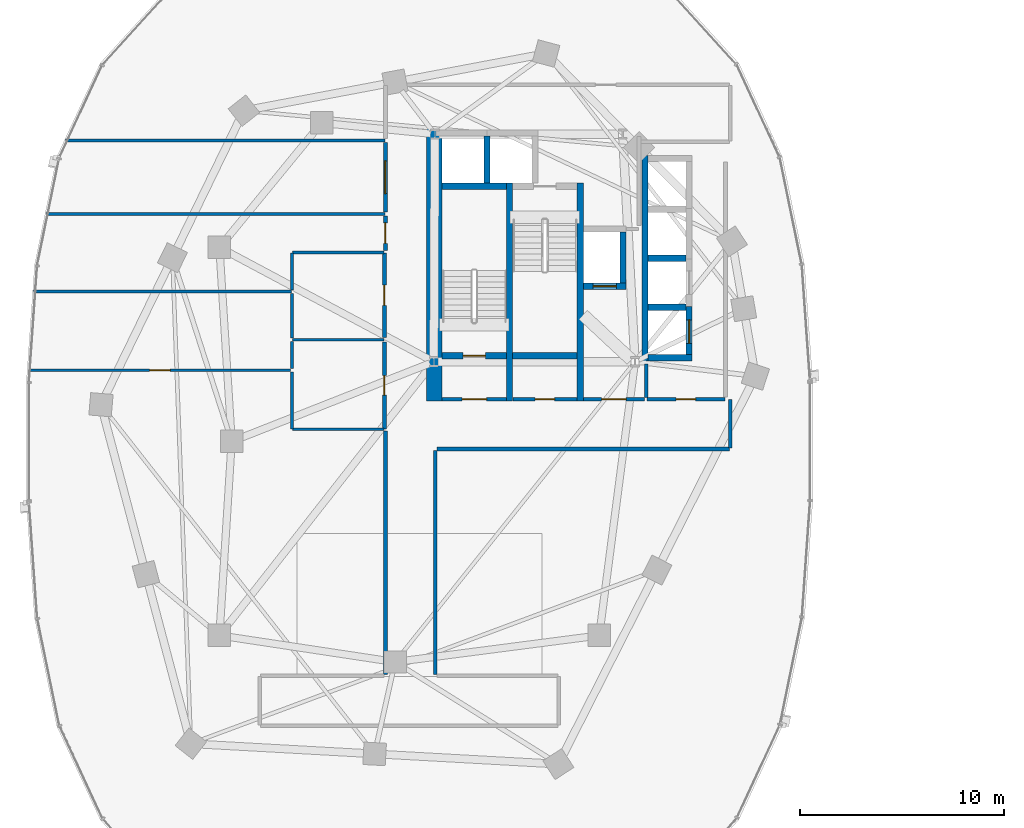
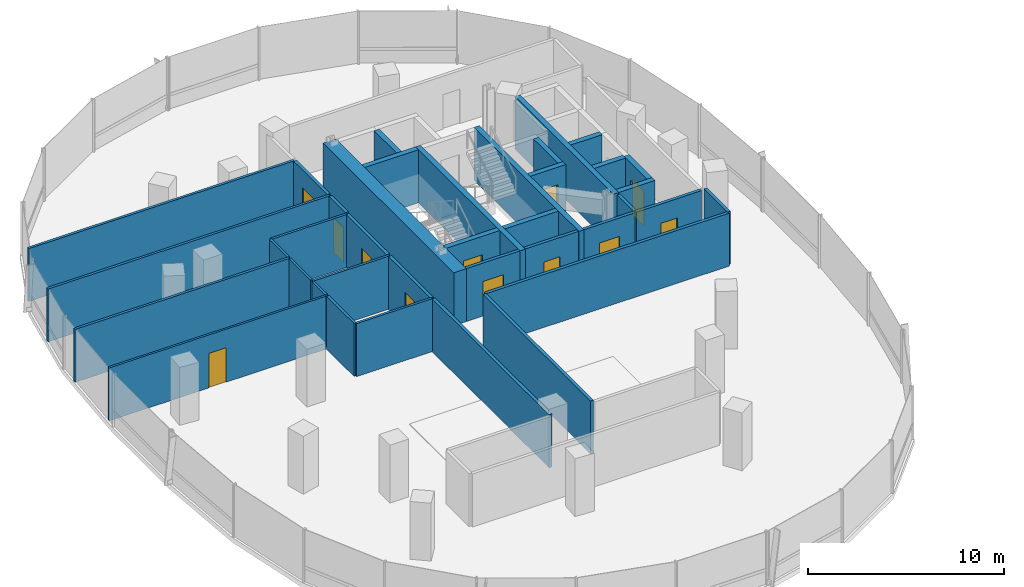
# One storey, part 11 of 21: 38 walls, 12 doors, 12 openings.
"""IFC4 building model written with IfcOpenShell, lengths in metres."""

from ifc_helpers import new_model, si_unit, direction, frame, frame_2d, origin, place, context, subcontext, project, spatial, rectangle, extrude, material, layer, layer_set, type_object, element, fill, save


model = new_model("IFC4")

# Units and contexts
model_context = context("Model", 3, precision=1e-05, world=origin(), true_north=direction((0.0, 1.0)))
body_context = subcontext(model_context, "Body", "Model", "MODEL_VIEW")
ifc_project = project(units=[si_unit("LENGTHUNIT", "METRE"), si_unit("AREAUNIT", "SQUARE_METRE"), si_unit("VOLUMEUNIT", "CUBIC_METRE"), si_unit("PLANEANGLEUNIT", "RADIAN"), si_unit("MASSUNIT", "GRAM", prefix="KILO"), si_unit("THERMODYNAMICTEMPERATUREUNIT", "KELVIN"), si_unit("POWERUNIT", "WATT")], contexts=[model_context])

# Site, building, storey
site_placement = place(None, origin())
site = spatial("IfcSite", under=ifc_project, at=site_placement, CompositionType="ELEMENT")
building_placement = place(site_placement, origin())
building = spatial("IfcBuilding", under=site, at=building_placement, Name="Cundina Bronze Exchange", CompositionType="ELEMENT")
storey_placement = place(building_placement, frame((0.0, 0.0, 81.800048828125)))
storey = spatial("IfcBuildingStorey", under=building, at=storey_placement, Name="L20", CompositionType="ELEMENT", Elevation=81.800048828125)

# Wall
ifc_material_1 = material(Name="Gypsum Fireboard Partition EI120")
ifc_layer_1 = layer(ifc_material_1, 0.179931640625, Name="Gypsum Fireboard Partition EI120")
ifc_layer_set_1 = layer_set([ifc_layer_1], Name="Gypsum Fireboard Partition EI120")
wall_type_1 = type_object("IfcWallType", Name="WL-COR-180", PredefinedType="PARTITIONING", material=ifc_layer_set_1)
wall_1_placement = place(storey_placement, frame((-20.889892578125, 2.14990234375, 0.0), z_axis=(0.0, 0.0, 1.0), x_axis=(0.0, 1.0, 0.0)))
element("IfcWall", 1, at=wall_1_placement, inside=storey, type_object=wall_type_1, Name="L20 W Firefighting Lobby Side Wall", PredefinedType="PARTITIONING", context=body_context, shape_type="SweptSolid", body=[
    extrude(rectangle(XDim=1.650146484375, YDim=0.179931640625, at=frame_2d((0.8251953125, 0.0))), origin(), (0.0, 0.0, 1.0), 3.300048828125),
])

# Wall, opening, door
wall_2_placement = place(storey_placement, frame((-23.97998046875, 2.06005859375, 0.0), z_axis=(0.0, 0.0, 1.0), x_axis=(1.0, 0.0, 0.0)))
wall_2 = element("IfcWall", 2, at=wall_2_placement, inside=storey, type_object=wall_type_1, Name="L20 W Firefighting Lobby Exit Wall", PredefinedType="PARTITIONING", context=body_context, shape_type="SweptSolid", body=[
    extrude(rectangle(XDim=3.0, YDim=0.179931640625, at=frame_2d((1.5, 0.0))), origin(), (0.0, 0.0, 1.0), 3.300048828125),
])
opening_1_placement = place(wall_2_placement, frame((0.89990234375, 0.0, 0.0)))
opening_1 = element("IfcOpeningElement", 3, at=opening_1_placement, cuts=wall_2, Name="Opening DF-01", PredefinedType="OPENING", context=body_context, shape_type="SweptSolid", body=[
    extrude(rectangle(XDim=1.199951171875, YDim=2.14990234375, at=frame_2d((0.60009765625, 1.074951171875))), frame((0.0, 0.099853515625, 0.0), z_axis=(0.0, -1.0, 0.0), x_axis=(1.0, 0.0, 0.0)), (0.0, 0.0, 1.0), 0.199951171875),
])
ifc_material_2 = material(Name="Steel ASTM A36 Painted", Category="steel")
door_type_1 = type_object("IfcDoorType", Name="DR-FFL-1200", OperationType="NOTDEFINED", PredefinedType="DOOR", material=ifc_material_2)
door_1_placement = place(opening_1_placement, origin())
door_1 = element("IfcDoor", 4, at=door_1_placement, inside=storey, type_object=door_type_1, Name="L20 W Firefighting Lobby Door", OperationType="SINGLE_SWING_RIGHT", OverallHeight=2.14990234375, OverallWidth=1.199951171875, PredefinedType="DOOR", context=body_context, shape_type="SweptSolid", body=[
    extrude(rectangle(XDim=1.199951171875, YDim=2.14990234375, at=frame_2d((0.60009765625, 1.074951171875))), frame((0.0, 0.02490234375, 0.0), z_axis=(0.0, -1.0, 0.0), x_axis=(1.0, 0.0, 0.0)), (0.0, 0.0, 1.0), 0.050048828125),
])
fill(opening_1, door_1)

wall_3_placement = place(storey_placement, frame((-30.89990234375, 2.06005859375, 0.0), z_axis=(0.0, 0.0, 1.0), x_axis=(1.0, 0.0, 0.0)))
wall_3 = element("IfcWall", 5, at=wall_3_placement, inside=storey, type_object=wall_type_1, Name="L20 W Stair Vestibule Exit Wall", PredefinedType="PARTITIONING", context=body_context, shape_type="SweptSolid", body=[
    extrude(rectangle(XDim=3.159912109375, YDim=0.179931640625, at=frame_2d((1.580078125, 0.0))), origin(), (0.0, 0.0, 1.0), 3.300048828125),
])
opening_2_placement = place(wall_3_placement, frame((0.97998046875, 0.0, 0.0)))
opening_2 = element("IfcOpeningElement", 6, at=opening_2_placement, cuts=wall_3, Name="Opening DF-01", PredefinedType="OPENING", context=body_context, shape_type="SweptSolid", body=[
    extrude(rectangle(XDim=1.199951171875, YDim=2.14990234375, at=frame_2d((0.60009765625, 1.074951171875))), frame((0.0, 0.099853515625, 0.0), z_axis=(0.0, -1.0, 0.0), x_axis=(1.0, 0.0, 0.0)), (0.0, 0.0, 1.0), 0.199951171875),
])
door_2_placement = place(opening_2_placement, origin())
door_2 = element("IfcDoor", 7, at=door_2_placement, inside=storey, type_object=door_type_1, Name="L20 W Stair Vestibule Door", OperationType="SINGLE_SWING_LEFT", OverallHeight=2.14990234375, OverallWidth=1.199951171875, PredefinedType="DOOR", context=body_context, shape_type="SweptSolid", body=[
    extrude(rectangle(XDim=1.199951171875, YDim=2.14990234375, at=frame_2d((0.60009765625, 1.074951171875))), frame((0.0, 0.02490234375, 0.0), z_axis=(0.0, -1.0, 0.0), x_axis=(1.0, 0.0, 0.0)), (0.0, 0.0, 1.0), 0.050048828125),
])
fill(opening_2, door_2)

wall_4_placement = place(storey_placement, frame((-20.8701171875, 2.070068359375, 0.0), z_axis=(0.0, 0.0, 1.0), x_axis=(1.0, 0.0, 0.0)))
wall_4 = element("IfcWall", 8, at=wall_4_placement, inside=storey, type_object=wall_type_1, Name="L20 Interior Partition 002", PredefinedType="PARTITIONING", context=body_context, shape_type="SweptSolid", body=[
    extrude(rectangle(XDim=3.830078125, YDim=0.179931640625, at=frame_2d((1.9150390625, 0.0))), origin(), (0.0, 0.0, 1.0), 3.300048828125),
])
opening_3_placement = place(wall_4_placement, frame((1.43994140625, 0.0, 0.0)))
opening_3 = element("IfcOpeningElement", 9, at=opening_3_placement, cuts=wall_4, Name="Opening DW-01", PredefinedType="OPENING", context=body_context, shape_type="SweptSolid", body=[
    extrude(rectangle(XDim=0.949951171875, YDim=2.10009765625, at=frame_2d((0.47509765625, 1.050048828125))), frame((0.0, 0.099853515625, 0.0), z_axis=(0.0, -1.0, 0.0), x_axis=(1.0, 0.0, 0.0)), (0.0, 0.0, 1.0), 0.199951171875),
])
ifc_material_3 = material(Name="Solid Andean Oak Timber Grade A", Category="wood")
door_type_2 = type_object("IfcDoorType", Name="DR-WC-950", OperationType="NOTDEFINED", PredefinedType="DOOR", material=ifc_material_3)
door_3_placement = place(opening_3_placement, origin())
door_3 = element("IfcDoor", 10, at=door_3_placement, inside=storey, type_object=door_type_2, Name="L20 Interior Door 002", OperationType="SINGLE_SWING_LEFT", OverallHeight=2.10009765625, OverallWidth=0.949951171875, PredefinedType="DOOR", context=body_context, shape_type="SweptSolid", body=[
    extrude(rectangle(XDim=0.949951171875, YDim=2.10009765625, at=frame_2d((0.47509765625, 1.050048828125))), frame((0.0, 0.02490234375, 0.0), z_axis=(0.0, -1.0, 0.0), x_axis=(1.0, 0.0, 0.0)), (0.0, 0.0, 1.0), 0.050048828125),
])
fill(opening_3, door_3)

wall_5_placement = place(storey_placement, frame((-27.419921875, 2.070068359375, 0.0), z_axis=(0.0, 0.0, 1.0), x_axis=(1.0, 0.0, 0.0)))
wall_5 = element("IfcWall", 11, at=wall_5_placement, inside=storey, type_object=wall_type_1, Name="L20 Interior Partition 005", PredefinedType="PARTITIONING", context=body_context, shape_type="SweptSolid", body=[
    extrude(rectangle(XDim=3.119873046875, YDim=0.179931640625, at=frame_2d((1.56005859375, 0.0))), origin(), (0.0, 0.0, 1.0), 3.300048828125),
])
opening_4_placement = place(wall_5_placement, frame((1.0849609375, 0.0, 0.0)))
opening_4 = element("IfcOpeningElement", 12, at=opening_4_placement, cuts=wall_5, Name="Opening DW-01", PredefinedType="OPENING", context=body_context, shape_type="SweptSolid", body=[
    extrude(rectangle(XDim=0.949951171875, YDim=2.10009765625, at=frame_2d((0.47509765625, 1.050048828125))), frame((0.0, 0.099853515625, 0.0), z_axis=(0.0, -1.0, 0.0), x_axis=(1.0, 0.0, 0.0)), (0.0, 0.0, 1.0), 0.199951171875),
])
door_4_placement = place(opening_4_placement, origin())
door_4 = element("IfcDoor", 13, at=door_4_placement, inside=storey, type_object=door_type_2, Name="L20 Interior Door 005", OperationType="SINGLE_SWING_LEFT", OverallHeight=2.10009765625, OverallWidth=0.949951171875, PredefinedType="DOOR", context=body_context, shape_type="SweptSolid", body=[
    extrude(rectangle(XDim=0.949951171875, YDim=2.10009765625, at=frame_2d((0.47509765625, 1.050048828125))), frame((0.0, 0.02490234375, 0.0), z_axis=(0.0, -1.0, 0.0), x_axis=(1.0, 0.0, 0.0)), (0.0, 0.0, 1.0), 0.050048828125),
])
fill(opening_4, door_4)

wall_6_placement = place(storey_placement, frame((-33.719970703125, 0.6201171875, 0.0), z_axis=(0.0, 0.0, 1.0), x_axis=(0.0, 1.0, 0.0)))
wall_6 = element("IfcWall", 14, at=wall_6_placement, inside=storey, type_object=wall_type_1, Name="L20 Interior Partition 013", PredefinedType="PARTITIONING", context=body_context, shape_type="SweptSolid", body=[
    extrude(rectangle(XDim=4.259765625, YDim=0.179931640625, at=frame_2d((2.1298828125, 0.0))), origin(), (0.0, 0.0, 1.0), 3.300048828125),
])
opening_5_placement = place(wall_6_placement, frame((1.655029296875, 0.0, 0.0)))
opening_5 = element("IfcOpeningElement", 15, at=opening_5_placement, cuts=wall_6, Name="Opening DW-01", PredefinedType="OPENING", context=body_context, shape_type="SweptSolid", body=[
    extrude(rectangle(XDim=0.949951171875, YDim=2.10009765625, at=frame_2d((0.47509765625, 1.050048828125))), frame((0.0, 0.099853515625, 0.0), z_axis=(0.0, -1.0, 0.0), x_axis=(1.0, 0.0, 0.0)), (0.0, 0.0, 1.0), 0.199951171875),
])
door_5_placement = place(opening_5_placement, origin())
door_5 = element("IfcDoor", 16, at=door_5_placement, inside=storey, type_object=door_type_2, Name="L20 Interior Door 013", OperationType="SINGLE_SWING_LEFT", OverallHeight=2.10009765625, OverallWidth=0.949951171875, PredefinedType="DOOR", context=body_context, shape_type="SweptSolid", body=[
    extrude(rectangle(XDim=0.949951171875, YDim=2.10009765625, at=frame_2d((0.47509765625, 1.050048828125))), frame((0.0, 0.02490234375, 0.0), z_axis=(0.0, -1.0, 0.0), x_axis=(1.0, 0.0, 0.0)), (0.0, 0.0, 1.0), 0.050048828125),
])
fill(opening_5, door_5)

wall_7_placement = place(storey_placement, frame((-33.719970703125, 5.080078125, 0.0), z_axis=(0.0, 0.0, 1.0), x_axis=(0.0, 1.0, 0.0)))
wall_7 = element("IfcWall", 17, at=wall_7_placement, inside=storey, type_object=wall_type_1, Name="L20 Interior Partition 014", PredefinedType="PARTITIONING", context=body_context, shape_type="SweptSolid", body=[
    extrude(rectangle(XDim=4.159912109375, YDim=0.179931640625, at=frame_2d((2.080078125, 0.0))), origin(), (0.0, 0.0, 1.0), 3.300048828125),
])
opening_6_placement = place(wall_7_placement, frame((1.580078125, 0.0, 0.0)))
opening_6 = element("IfcOpeningElement", 18, at=opening_6_placement, cuts=wall_7, Name="Opening DO-01", PredefinedType="OPENING", context=body_context, shape_type="SweptSolid", body=[
    extrude(rectangle(XDim=1.0, YDim=2.14990234375, at=frame_2d((0.5, 1.074951171875))), frame((0.0, 0.099853515625, 0.0), z_axis=(0.0, -1.0, 0.0), x_axis=(1.0, 0.0, 0.0)), (0.0, 0.0, 1.0), 0.199951171875),
])
door_type_3 = type_object("IfcDoorType", Name="DR-OFF-1000", OperationType="NOTDEFINED", PredefinedType="DOOR", material=ifc_material_3)
door_6_placement = place(opening_6_placement, origin())
door_6 = element("IfcDoor", 19, at=door_6_placement, inside=storey, type_object=door_type_3, Name="L20 Interior Door 014", OperationType="SINGLE_SWING_LEFT", OverallHeight=2.14990234375, OverallWidth=1.0, PredefinedType="DOOR", context=body_context, shape_type="SweptSolid", body=[
    extrude(rectangle(XDim=1.0, YDim=2.14990234375, at=frame_2d((0.5, 1.074951171875))), frame((0.0, 0.02490234375, 0.0), z_axis=(0.0, -1.0, 0.0), x_axis=(1.0, 0.0, 0.0)), (0.0, 0.0, 1.0), 0.050048828125),
])
fill(opening_6, door_6)

# Walls
wall_8_placement = place(storey_placement, frame((-31.14990234375, -0.3701171875, 0.0), z_axis=(0.0, 0.0, 1.0), x_axis=(1.0, 0.0, 0.0)))
element("IfcWall", 20, at=wall_8_placement, inside=storey, type_object=wall_type_1, Name="L20 Interior Partition 020", PredefinedType="PARTITIONING", context=body_context, shape_type="SweptSolid", body=[
    extrude(rectangle(XDim=14.328369140625, YDim=0.179931640625, at=frame_2d((7.1640625, 0.0))), origin(), (0.0, 0.0, 1.0), 3.300048828125),
])
wall_9_placement = place(storey_placement, frame((-33.669921875, 0.508544921875, 0.0), z_axis=(0.0, 0.0, 1.0), x_axis=(0.0, -1.0, 0.0)))
element("IfcWall", 21, at=wall_9_placement, inside=storey, type_object=wall_type_1, Name="L20 Interior Partition 021", PredefinedType="PARTITIONING", context=body_context, shape_type="SweptSolid", body=[
    extrude(rectangle(XDim=11.908447265625, YDim=0.179931640625, at=frame_2d((5.9541015625, 0.0))), origin(), (0.0, 0.0, 1.0), 3.300048828125),
])
wall_10_placement = place(storey_placement, frame((-31.22998046875, -11.39990234375, 0.0), z_axis=(0.0, 0.0, 1.0), x_axis=(0.0, 1.0, 0.0)))
element("IfcWall", 22, at=wall_10_placement, inside=storey, type_object=wall_type_1, Name="L20 Interior Partition 022", PredefinedType="PARTITIONING", context=body_context, shape_type="SweptSolid", body=[
    extrude(rectangle(XDim=10.949951171875, YDim=0.179931640625, at=frame_2d((5.47509765625, 0.0))), origin(), (0.0, 0.0, 1.0), 3.300048828125),
])
wall_11_placement = place(storey_placement, frame((-16.780029296875, -0.32861328125, 0.0), z_axis=(0.0, 0.0, 1.0), x_axis=(0.0, 1.0, 0.0)))
element("IfcWall", 23, at=wall_11_placement, inside=storey, type_object=wall_type_1, Name="L20 Interior Partition 028", PredefinedType="PARTITIONING", context=body_context, shape_type="SweptSolid", body=[
    extrude(rectangle(XDim=2.38720703125, YDim=0.179931640625, at=frame_2d((1.193603515625, 0.0))), origin(), (0.0, 0.0, 1.0), 3.300048828125),
])

# Wall, opening, door
wall_12_placement = place(storey_placement, frame((-33.669921875, 11.050048828125, 0.0), z_axis=(0.0, 0.0, 1.0), x_axis=(0.0, -1.0, 0.0)))
wall_12 = element("IfcWall", 24, at=wall_12_placement, inside=storey, type_object=wall_type_1, Name="L20 Interior Partition 031", PredefinedType="PARTITIONING", context=body_context, shape_type="SweptSolid", body=[
    extrude(rectangle(XDim=1.69873046875, YDim=0.179931640625, at=frame_2d((0.849365234375, 0.0))), origin(), (0.0, 0.0, 1.0), 3.300048828125),
])
opening_7_placement = place(wall_12_placement, frame((0.349365234375, 0.0, 0.0)))
opening_7 = element("IfcOpeningElement", 25, at=opening_7_placement, cuts=wall_12, Name="Opening DO-01", PredefinedType="OPENING", context=body_context, shape_type="SweptSolid", body=[
    extrude(rectangle(XDim=1.0, YDim=2.14990234375, at=frame_2d((0.5, 1.074951171875))), frame((0.0, 0.099853515625, 0.0), z_axis=(0.0, -1.0, 0.0), x_axis=(1.0, 0.0, 0.0)), (0.0, 0.0, 1.0), 0.199951171875),
])
door_7_placement = place(opening_7_placement, origin())
door_7 = element("IfcDoor", 26, at=door_7_placement, inside=storey, type_object=door_type_3, Name="L20 Interior Door 031", OperationType="SINGLE_SWING_LEFT", OverallHeight=2.14990234375, OverallWidth=1.0, PredefinedType="DOOR", context=body_context, shape_type="SweptSolid", body=[
    extrude(rectangle(XDim=1.0, YDim=2.14990234375, at=frame_2d((0.5, 1.074951171875))), frame((0.0, 0.02490234375, 0.0), z_axis=(0.0, -1.0, 0.0), x_axis=(1.0, 0.0, 0.0)), (0.0, 0.0, 1.0), 0.050048828125),
])
fill(opening_7, door_7)

wall_13_placement = place(storey_placement, frame((-33.669921875, 14.64990234375, 0.0), z_axis=(0.0, 0.0, 1.0), x_axis=(0.0, -1.0, 0.0)))
wall_13 = element("IfcWall", 27, at=wall_13_placement, inside=storey, type_object=wall_type_1, Name="L20 Interior Partition 032", PredefinedType="PARTITIONING", context=body_context, shape_type="SweptSolid", body=[
    extrude(rectangle(XDim=3.419921875, YDim=0.179931640625, at=frame_2d((1.7099609375, 0.0))), origin(), (0.0, 0.0, 1.0), 3.300048828125),
])
opening_8_placement = place(wall_13_placement, frame((0.909912109375, 0.0, 0.0)))
opening_8 = element("IfcOpeningElement", 28, at=opening_8_placement, cuts=wall_13, Name="Opening DO-02", PredefinedType="OPENING", context=body_context, shape_type="SweptSolid", body=[
    extrude(rectangle(XDim=1.60009765625, YDim=2.199951171875, at=frame_2d((0.800048828125, 1.10009765625))), frame((0.0, 0.099853515625, 0.0), z_axis=(0.0, -1.0, 0.0), x_axis=(1.0, 0.0, 0.0)), (0.0, 0.0, 1.0), 0.199951171875),
])
door_type_4 = type_object("IfcDoorType", Name="DR-TRD-1600", OperationType="NOTDEFINED", PredefinedType="DOOR", material=ifc_material_3)
door_8_placement = place(opening_8_placement, origin())
door_8 = element("IfcDoor", 29, at=door_8_placement, inside=storey, type_object=door_type_4, Name="L20 Interior Door 032", OperationType="SINGLE_SWING_LEFT", OverallHeight=2.199951171875, OverallWidth=1.60009765625, PredefinedType="DOOR", context=body_context, shape_type="SweptSolid", body=[
    extrude(rectangle(XDim=1.60009765625, YDim=2.199951171875, at=frame_2d((0.800048828125, 1.10009765625))), frame((0.0, 0.02490234375, 0.0), z_axis=(0.0, -1.0, 0.0), x_axis=(1.0, 0.0, 0.0)), (0.0, 0.0, 1.0), 0.050048828125),
])
fill(opening_8, door_8)

# Wall
ifc_material_4 = material(Name="Concrete C60/75", Category="concrete")
ifc_layer_2 = layer(ifc_material_4, 0.75, Name="Concrete C60/75", Category="concrete")
ifc_layer_set_2 = layer_set([ifc_layer_2], Name="Concrete C60/75")
wall_type_2 = type_object("IfcWallType", Name="WL-CORE-750", PredefinedType="SHEAR", material=ifc_layer_set_2)
wall_14_placement = place(storey_placement, frame((-31.27490234375, 1.969970703125, 0.0), z_axis=(0.0, 0.0, 1.0), x_axis=(0.0, 1.0, 0.0)))
element("IfcWall", 30, at=wall_14_placement, inside=storey, type_object=wall_type_2, Name="L20 W Primary Core Shear Spine Wall", PredefinedType="SHEAR", context=body_context, shape_type="SweptSolid", body=[
    extrude(rectangle(XDim=13.330078125, YDim=0.75, at=frame_2d((6.6650390625, 0.0))), origin(), (0.0, 0.0, 1.0), 3.300048828125),
])

# Wall, opening, door
ifc_material_5 = material(Name="Gypsum Acoustic Partition EI60")
ifc_layer_3 = layer(ifc_material_5, 0.125, Name="Gypsum Acoustic Partition EI60")
ifc_layer_set_3 = layer_set([ifc_layer_3], Name="Gypsum Acoustic Partition EI60")
wall_type_3 = type_object("IfcWallType", Name="WL-OFF-125", PredefinedType="PARTITIONING", material=ifc_layer_set_3)
wall_15_placement = place(storey_placement, frame((-38.320068359375, 3.489990234375, 0.0), z_axis=(0.0, 0.0, 1.0), x_axis=(-1.0, 0.0, 0.0)))
wall_15 = element("IfcWall", 31, at=wall_15_placement, inside=storey, type_object=wall_type_3, Name="L20 Interior Partition 033", PredefinedType="PARTITIONING", context=body_context, shape_type="SweptSolid", body=[
    extrude(rectangle(XDim=12.7900390625, YDim=0.125, at=frame_2d((6.39501953125, 0.0))), origin(), (0.0, 0.0, 1.0), 3.300048828125),
])
opening_9_placement = place(wall_15_placement, frame((5.89501953125, 0.0, 0.0)))
opening_9 = element("IfcOpeningElement", 32, at=opening_9_placement, cuts=wall_15, Name="Opening DO-01", PredefinedType="OPENING", context=body_context, shape_type="SweptSolid", body=[
    extrude(rectangle(XDim=1.0, YDim=2.14990234375, at=frame_2d((0.5, 1.074951171875))), frame((0.0, 0.072509765625, 0.0), z_axis=(0.0, -1.0, 0.0), x_axis=(1.0, 0.0, 0.0)), (0.0, 0.0, 1.0), 0.14501953125),
])
door_9_placement = place(opening_9_placement, origin())
door_9 = element("IfcDoor", 33, at=door_9_placement, inside=storey, type_object=door_type_3, Name="L20 Interior Door 033", OperationType="SINGLE_SWING_LEFT", OverallHeight=2.14990234375, OverallWidth=1.0, PredefinedType="DOOR", context=body_context, shape_type="SweptSolid", body=[
    extrude(rectangle(XDim=1.0, YDim=2.14990234375, at=frame_2d((0.5, 1.074951171875))), frame((0.0, 0.02490234375, 0.0), z_axis=(0.0, -1.0, 0.0), x_axis=(1.0, 0.0, 0.0)), (0.0, 0.0, 1.0), 0.050048828125),
])
fill(opening_9, door_9)

# Walls
ifc_material_6 = material(Name="Concrete C50/60", Category="concrete")
ifc_layer_4 = layer(ifc_material_6, 0.300048828125, Name="Concrete C50/60", Category="concrete")
ifc_layer_set_4 = layer_set([ifc_layer_4], Name="Concrete C50/60")
wall_type_4 = type_object("IfcWallType", Name="WL-SHFT-300", PredefinedType="SHEAR", material=ifc_layer_set_4)
for number, where, z_axis, x_axis, name in (
    (34, (-27.590087890625, 1.969970703125, 0.0), (0.0, 0.0, 1.0), (0.0, 1.0, 0.0), "L20 W Stair Shaft Dividing Shear Wall"),
    (35, (-24.1298828125, 1.969970703125, 0.0), (0.0, 0.0, 1.0), (0.0, 1.0, 0.0), "L20 W Stair 2 East Shear Wall"),
):
    element("IfcWall", number, at=place(storey_placement, frame(where, z_axis=z_axis, x_axis=x_axis)), inside=storey, type_object=wall_type_4, Name=name, PredefinedType="SHEAR", context=body_context, shape_type="SweptSolid", body=[
        extrude(rectangle(XDim=10.679931640625, YDim=0.300048828125, at=frame_2d((5.33984375, 0.0))), origin(), (0.0, 0.0, 1.0), 3.300048828125),
    ])

# Wall, opening, door
wall_16_placement = place(storey_placement, frame((-30.89990234375, 4.199951171875, 0.0), z_axis=(0.0, 0.0, 1.0), x_axis=(1.0, 0.0, 0.0)))
wall_16 = element("IfcWall", 36, at=wall_16_placement, inside=storey, type_object=wall_type_4, Name="L20 Stair W1 Landing Wall", PredefinedType="SHEAR", context=body_context, shape_type="SweptSolid", body=[
    extrude(rectangle(XDim=3.159912109375, YDim=0.300048828125, at=frame_2d((1.580078125, 0.0))), origin(), (0.0, 0.0, 1.0), 3.300048828125),
])
opening_10_placement = place(wall_16_placement, frame((1.030029296875, 0.0, 0.0)))
opening_10 = element("IfcOpeningElement", 37, at=opening_10_placement, cuts=wall_16, Name="Opening DS-01", PredefinedType="OPENING", context=body_context, shape_type="SweptSolid", body=[
    extrude(rectangle(XDim=1.10009765625, YDim=2.14990234375, at=frame_2d((0.550048828125, 1.074951171875))), frame((0.0, 0.159912109375, 0.0), z_axis=(0.0, -1.0, 0.0), x_axis=(1.0, 0.0, 0.0)), (0.0, 0.0, 1.0), 0.320068359375),
])
door_type_5 = type_object("IfcDoorType", Name="DR-STR-1100", OperationType="NOTDEFINED", PredefinedType="DOOR", material=ifc_material_2)
door_10_placement = place(opening_10_placement, origin())
door_10 = element("IfcDoor", 38, at=door_10_placement, inside=storey, type_object=door_type_5, Name="L20 Smokeproof Stair W1 Door", OperationType="SINGLE_SWING_RIGHT", OverallHeight=2.14990234375, OverallWidth=1.10009765625, PredefinedType="DOOR", context=body_context, shape_type="SweptSolid", body=[
    extrude(rectangle(XDim=1.10009765625, YDim=2.14990234375, at=frame_2d((0.550048828125, 1.074951171875))), frame((0.0, 0.02490234375, 0.0), z_axis=(0.0, -1.0, 0.0), x_axis=(1.0, 0.0, 0.0)), (0.0, 0.0, 1.0), 0.050048828125),
])
fill(opening_10, door_10)

# Walls
for number, where, z_axis, x_axis, name in (
    (39, (-30.89990234375, 12.5, 0.0), (0.0, 0.0, 1.0), (1.0, 0.0, 0.0), "L20 Stair W1 Far Shaft Wall"),
    (40, (-27.43994140625, 4.199951171875, 0.0), (0.0, 0.0, 1.0), (1.0, 0.0, 0.0), "L20 Stair W2 Far Shaft Wall"),
):
    element("IfcWall", number, at=place(storey_placement, frame(where, z_axis=z_axis, x_axis=x_axis)), inside=storey, type_object=wall_type_4, Name=name, PredefinedType="SHEAR", context=body_context, shape_type="SweptSolid", body=[
        extrude(rectangle(XDim=3.159912109375, YDim=0.300048828125, at=frame_2d((1.580078125, 0.0))), origin(), (0.0, 0.0, 1.0), 3.300048828125),
    ])

# Wall, opening, door
wall_17_placement = place(storey_placement, frame((-23.97998046875, 7.60009765625, 0.0), z_axis=(0.0, 0.0, 1.0), x_axis=(1.0, 0.0, 0.0)))
wall_17 = element("IfcWall", 41, at=wall_17_placement, inside=storey, type_object=wall_type_4, Name="L20 FFL-W Hoistway Front Wall", PredefinedType="SHEAR", context=body_context, shape_type="SweptSolid", body=[
    extrude(rectangle(XDim=2.10009765625, YDim=0.300048828125, at=frame_2d((1.050048828125, 0.0))), origin(), (0.0, 0.0, 1.0), 3.300048828125),
])
opening_11_placement = place(wall_17_placement, frame((0.47509765625, 0.0, 0.0)))
opening_11 = element("IfcOpeningElement", 42, at=opening_11_placement, cuts=wall_17, Name="Opening LD-01", PredefinedType="OPENING", context=body_context, shape_type="SweptSolid", body=[
    extrude(rectangle(XDim=1.14990234375, YDim=2.199951171875, at=frame_2d((0.574951171875, 1.10009765625))), frame((0.0, 0.159912109375, 0.0), z_axis=(0.0, -1.0, 0.0), x_axis=(1.0, 0.0, 0.0)), (0.0, 0.0, 1.0), 0.320068359375),
])
door_type_6 = type_object("IfcDoorType", Name="DR-LND-1150", OperationType="NOTDEFINED", PredefinedType="TRAPDOOR", material=ifc_material_2)
door_11_placement = place(opening_11_placement, origin())
door_11 = element("IfcDoor", 43, at=door_11_placement, inside=storey, type_object=door_type_6, Name="L20 FFL-W Sliding Landing Door", OperationType="SLIDING_TO_LEFT", OverallHeight=2.199951171875, OverallWidth=1.14990234375, PredefinedType="TRAPDOOR", context=body_context, shape_type="SweptSolid", body=[
    extrude(rectangle(XDim=1.14990234375, YDim=2.199951171875, at=frame_2d((0.574951171875, 1.10009765625))), frame((0.0, 0.02490234375, 0.0), z_axis=(0.0, -1.0, 0.0), x_axis=(1.0, 0.0, 0.0)), (0.0, 0.0, 1.0), 0.050048828125),
])
fill(opening_11, door_11)

# Walls
wall_18_placement = place(storey_placement, frame((-22.030029296875, 7.75, 0.0), z_axis=(0.0, 0.0, 1.0), x_axis=(0.0, 1.0, 0.0)))
element("IfcWall", 44, at=wall_18_placement, inside=storey, type_object=wall_type_4, Name="L20 FFL-W Hoistway Side Wall", PredefinedType="SHEAR", context=body_context, shape_type="SweptSolid", body=[
    extrude(rectangle(XDim=2.5, YDim=0.300048828125, at=frame_2d((1.25, 0.0))), origin(), (0.0, 0.0, 1.0), 3.300048828125),
])
wall_19_placement = place(storey_placement, frame((-28.699951171875, 12.64990234375, 0.0), z_axis=(0.0, 0.0, 1.0), x_axis=(0.0, 1.0, 0.0)))
element("IfcWall", 45, at=wall_19_placement, inside=storey, type_object=wall_type_4, Name="L20 PH-W1 Hoistway Divider Wall", PredefinedType="SHEAR", context=body_context, shape_type="SweptSolid", body=[
    extrude(rectangle(XDim=2.300048828125, YDim=0.300048828125, at=frame_2d((1.14990234375, 0.0))), origin(), (0.0, 0.0, 1.0), 3.300048828125),
])
wall_20_placement = place(storey_placement, frame((-20.949951171875, 3.949951171875, 0.0), z_axis=(0.0, 0.0, 1.0), x_axis=(0.0, 1.0, 0.0)))
element("IfcWall", 46, at=wall_20_placement, inside=storey, type_object=wall_type_4, Name="L20 W Passenger Bank Hoistway Back Wall", PredefinedType="SHEAR", context=body_context, shape_type="SweptSolid", body=[
    extrude(rectangle(XDim=10.050048828125, YDim=0.300048828125, at=frame_2d((5.02490234375, 0.0))), origin(), (0.0, 0.0, 1.0), 3.300048828125),
])
wall_21_placement = place(storey_placement, frame((-20.800048828125, 4.10009765625, 0.0), z_axis=(0.0, 0.0, 1.0), x_axis=(1.0, 0.0, 0.0)))
element("IfcWall", 47, at=wall_21_placement, inside=storey, type_object=wall_type_4, Name="L20 W Passenger Bank South Cap Wall", PredefinedType="SHEAR", context=body_context, shape_type="SweptSolid", body=[
    extrude(rectangle(XDim=2.150146484375, YDim=0.300048828125, at=frame_2d((1.0751953125, 0.0))), origin(), (0.0, 0.0, 1.0), 3.300048828125),
])
for number, where, z_axis, x_axis, name in (
    (48, (-20.800048828125, 6.574951171875, 0.0), (0.0, 0.0, 1.0), (1.0, 0.0, 0.0), "L20 W Passenger Hoistway Divider 1"),
    (49, (-20.800048828125, 8.97509765625, 0.0), (0.0, 0.0, 1.0), (1.0, 0.0, 0.0), "L20 W Passenger Hoistway Divider 2"),
):
    element("IfcWall", number, at=place(storey_placement, frame(where, z_axis=z_axis, x_axis=x_axis)), inside=storey, type_object=wall_type_4, Name=name, PredefinedType="SHEAR", context=body_context, shape_type="SweptSolid", body=[
        extrude(rectangle(XDim=1.85009765625, YDim=0.300048828125, at=frame_2d((0.925048828125, 0.0))), origin(), (0.0, 0.0, 1.0), 3.300048828125),
    ])

# Wall, opening, door
wall_22_placement = place(storey_placement, frame((-18.800048828125, 4.1298828125, 0.0), z_axis=(0.0, 0.0, 1.0), x_axis=(0.0, 1.0, 0.0)))
wall_22 = element("IfcWall", 50, at=wall_22_placement, inside=storey, type_object=wall_type_4, Name="L20 PL-W2 Hoistway Front Wall", PredefinedType="SHEAR", context=body_context, shape_type="SweptSolid", body=[
    extrude(rectangle(XDim=2.490234375, YDim=0.300048828125, at=frame_2d((1.2451171875, 0.0))), origin(), (0.0, 0.0, 1.0), 3.300048828125),
])
opening_12_placement = place(wall_22_placement, frame((0.669921875, 0.0, 0.0)))
opening_12 = element("IfcOpeningElement", 51, at=opening_12_placement, cuts=wall_22, Name="Opening LD-01", PredefinedType="OPENING", context=body_context, shape_type="SweptSolid", body=[
    extrude(rectangle(XDim=1.14990234375, YDim=2.199951171875, at=frame_2d((0.574951171875, 1.10009765625))), frame((0.0, 0.159912109375, 0.0), z_axis=(0.0, -1.0, 0.0), x_axis=(1.0, 0.0, 0.0)), (0.0, 0.0, 1.0), 0.320068359375),
])
door_12_placement = place(opening_12_placement, origin())
door_12 = element("IfcDoor", 52, at=door_12_placement, inside=storey, type_object=door_type_6, Name="L20 PL-W2 Sliding Landing Door", OperationType="SLIDING_TO_LEFT", OverallHeight=2.199951171875, OverallWidth=1.14990234375, PredefinedType="TRAPDOOR", context=body_context, shape_type="SweptSolid", body=[
    extrude(rectangle(XDim=1.14990234375, YDim=2.199951171875, at=frame_2d((0.574951171875, 1.10009765625))), frame((0.0, 0.02490234375, 0.0), z_axis=(0.0, -1.0, 0.0), x_axis=(1.0, 0.0, 0.0)), (0.0, 0.0, 1.0), 0.050048828125),
])
fill(opening_12, door_12)

# Walls
ifc_layer_5 = layer(ifc_material_5, 0.14990234375, Name="Gypsum Acoustic Partition EI60")
ifc_layer_set_5 = layer_set([ifc_layer_5], Name="Gypsum Acoustic Partition EI60")
wall_type_5 = type_object("IfcWallType", Name="WL-TEN-150", PredefinedType="PARTITIONING", material=ifc_layer_set_5)
wall_23_placement = place(storey_placement, frame((-50.8974609375, 7.340087890625, 0.0), z_axis=(0.0, 0.0, 1.0), x_axis=(1.0, 0.0, 0.0)))
element("IfcWall", 53, at=wall_23_placement, inside=storey, type_object=wall_type_5, Name="L20 Interior Partition 015", PredefinedType="PARTITIONING", context=body_context, shape_type="SweptSolid", body=[
    extrude(rectangle(XDim=12.62744140625, YDim=0.14990234375, at=frame_2d((6.313720703125, 0.0))), origin(), (0.0, 0.0, 1.0), 3.300048828125),
])
wall_24_placement = place(storey_placement, frame((-50.29296875, 11.139892578125, 0.0), z_axis=(0.0, 0.0, 1.0), x_axis=(1.0, 0.0, 0.0)))
element("IfcWall", 54, at=wall_24_placement, inside=storey, type_object=wall_type_5, Name="L20 Interior Partition 016", PredefinedType="PARTITIONING", context=body_context, shape_type="SweptSolid", body=[
    extrude(rectangle(XDim=16.593017578125, YDim=0.14990234375, at=frame_2d((8.29638671875, 0.0))), origin(), (0.0, 0.0, 1.0), 3.300048828125),
])
wall_25_placement = place(storey_placement, frame((-49.34326171875, 14.739990234375, 0.0), z_axis=(0.0, 0.0, 1.0), x_axis=(1.0, 0.0, 0.0)))
element("IfcWall", 55, at=wall_25_placement, inside=storey, type_object=wall_type_5, Name="L20 Interior Partition 017", PredefinedType="PARTITIONING", context=body_context, shape_type="SweptSolid", body=[
    extrude(rectangle(XDim=15.643310546875, YDim=0.14990234375, at=frame_2d((7.82177734375, 0.0))), origin(), (0.0, 0.0, 1.0), 3.300048828125),
])
ifc_material_7 = material(Name="Moisture-Resistant Masonry Block Grade M15", Category="masonry")
ifc_layer_6 = layer(ifc_material_7, 0.139892578125, Name="Moisture-Resistant Masonry Block Grade M15", Category="masonry")
ifc_layer_set_6 = layer_set([ifc_layer_6], Name="Moisture-Resistant Masonry Block Grade M15")
wall_type_6 = type_object("IfcWallType", Name="WL-WET-140", PredefinedType="PARTITIONING", material=ifc_layer_set_6)
wall_26_placement = place(storey_placement, frame((-38.239990234375, 0.6201171875, 0.0), z_axis=(0.0, 0.0, 1.0), x_axis=(0.0, 1.0, 0.0)))
element("IfcWall", 56, at=wall_26_placement, inside=storey, type_object=wall_type_6, Name="L20 Interior Partition 006", PredefinedType="PARTITIONING", context=body_context, shape_type="SweptSolid", body=[
    extrude(rectangle(XDim=2.784912109375, YDim=0.139892578125, at=frame_2d((1.392578125, 0.0))), origin(), (0.0, 0.0, 1.0), 3.300048828125),
])
wall_27_placement = place(storey_placement, frame((-38.239990234375, 3.574951171875, 0.0), z_axis=(0.0, 0.0, 1.0), x_axis=(0.0, 1.0, 0.0)))
element("IfcWall", 57, at=wall_27_placement, inside=storey, type_object=wall_type_6, Name="L20 Interior Partition 007", PredefinedType="PARTITIONING", context=body_context, shape_type="SweptSolid", body=[
    extrude(rectangle(XDim=1.320068359375, YDim=0.139892578125, at=frame_2d((0.66015625, 0.0))), origin(), (0.0, 0.0, 1.0), 3.300048828125),
])
wall_28_placement = place(storey_placement, frame((-38.239990234375, 5.06494140625, 0.0), z_axis=(0.0, 0.0, 1.0), x_axis=(0.0, 1.0, 0.0)))
element("IfcWall", 58, at=wall_28_placement, inside=storey, type_object=wall_type_6, Name="L20 Interior Partition 008", PredefinedType="PARTITIONING", context=body_context, shape_type="SweptSolid", body=[
    extrude(rectangle(XDim=2.18994140625, YDim=0.139892578125, at=frame_2d((1.094970703125, 0.0))), origin(), (0.0, 0.0, 1.0), 3.300048828125),
])
wall_29_placement = place(storey_placement, frame((-38.239990234375, 7.425048828125, 0.0), z_axis=(0.0, 0.0, 1.0), x_axis=(0.0, 1.0, 0.0)))
element("IfcWall", 59, at=wall_29_placement, inside=storey, type_object=wall_type_6, Name="L20 Interior Partition 009", PredefinedType="PARTITIONING", context=body_context, shape_type="SweptSolid", body=[
    extrude(rectangle(XDim=1.81494140625, YDim=0.139892578125, at=frame_2d((0.907470703125, 0.0))), origin(), (0.0, 0.0, 1.0), 3.300048828125),
])
for number, where, z_axis, x_axis, name in (
    (60, (-38.219970703125, 0.60009765625, 0.0), (0.0, 0.0, 1.0), (1.0, 0.0, 0.0), "L20 Interior Partition 010"),
    (61, (-38.219970703125, 4.97998046875, 0.0), (0.0, 0.0, 1.0), (1.0, 0.0, 0.0), "L20 Interior Partition 011"),
    (62, (-38.219970703125, 9.260009765625, 0.0), (0.0, 0.0, 1.0), (1.0, 0.0, 0.0), "L20 Interior Partition 012"),
):
    element("IfcWall", number, at=place(storey_placement, frame(where, z_axis=z_axis, x_axis=x_axis)), inside=storey, type_object=wall_type_6, Name=name, PredefinedType="PARTITIONING", context=body_context, shape_type="SweptSolid", body=[
        extrude(rectangle(XDim=4.47998046875, YDim=0.139892578125, at=frame_2d((2.239990234375, 0.0))), origin(), (0.0, 0.0, 1.0), 3.300048828125),
    ])

save(model, "model.ifc")
